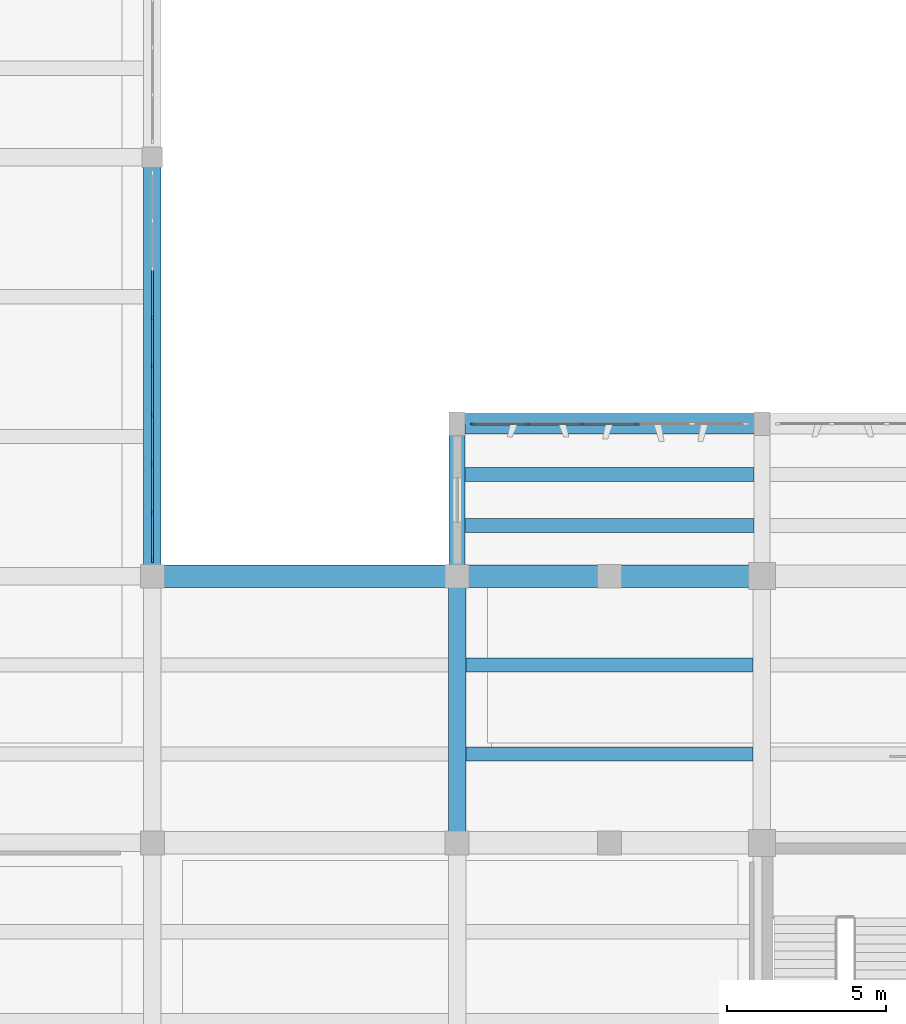
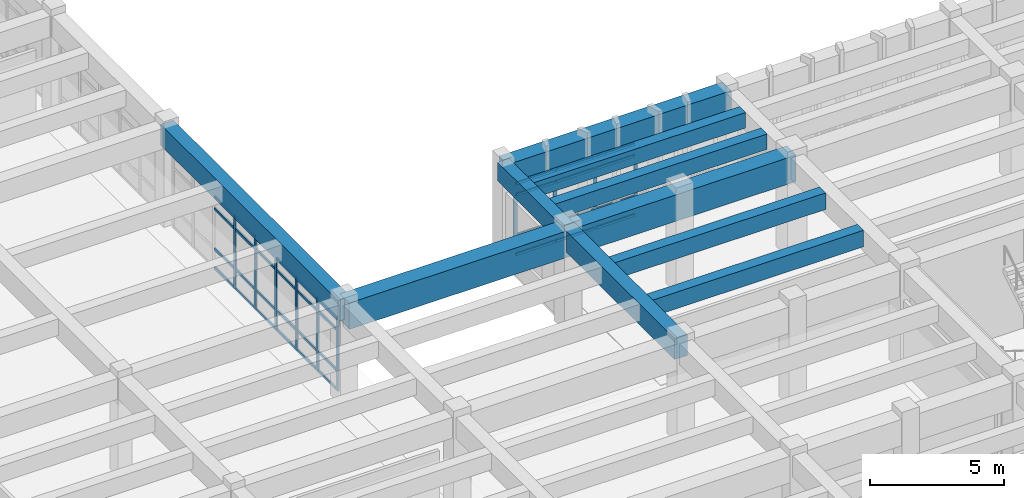
# One storey, part 9 of 86: 46 members, 10 beams, 2 elements without a shape of their own.
"""IFC4 building model written with IfcOpenShell, lengths in metres."""

from ifc_helpers import new_model, si_unit, direction, frame, origin, origin_2d, place, context, subcontext, project, spatial, rectangle, extrude, material, layer, layer_set, material_profile, profile_set, type_object, element, aggregate, save


model = new_model("IFC4")

# Units and contexts
model_context = context("Model", 3, precision=1e-05, world=origin(), true_north=direction((0.0, 1.0)))
body_context = subcontext(model_context, "Body", "Model", "MODEL_VIEW")
ifc_project = project(units=[si_unit("LENGTHUNIT", "METRE"), si_unit("AREAUNIT", "SQUARE_METRE"), si_unit("VOLUMEUNIT", "CUBIC_METRE"), si_unit("PLANEANGLEUNIT", "RADIAN"), si_unit("MASSUNIT", "GRAM", prefix="KILO")], contexts=[model_context])

# Site, building, storey
site_placement = place(None, origin())
site = spatial("IfcSite", under=ifc_project, at=site_placement, CompositionType="ELEMENT")
building_placement = place(site_placement, origin())
building = spatial("IfcBuilding", under=site, at=building_placement, Name="Kolvemor Railside Polytechnic", CompositionType="ELEMENT")
storey_placement = place(building_placement, frame((0.0, 0.0, 5.39990234375)))
storey = spatial("IfcBuildingStorey", under=building, at=storey_placement, Name="L01", CompositionType="ELEMENT", Elevation=5.39990234375)

# Beams
ifc_material_1 = material(Name="Concrete C40/50", Category="concrete")
ifc_material_profile_1 = material_profile(ifc_material_1, rectangle(XDim=0.550048828125, YDim=0.949951171875, at=origin_2d()), Name="RC550x950")
ifc_profile_set_1 = profile_set([ifc_material_profile_1], Name="Concrete C40/50")
beam_type_1 = type_object("IfcBeamType", Name="BM-RC-GIRD", PredefinedType="BEAM", material=ifc_profile_set_1)
beam_1_placement = place(storey_placement, frame((48.0, 38.39990234375, 4.005126953125), z_axis=(0.0, 1.0, 0.0), x_axis=(-1.0, 0.0, 0.0)))
element("IfcBeam", 1, at=beam_1_placement, inside=storey, type_object=beam_type_1, Name="Primary Girder L02-GY 0657", PredefinedType="BEAM", context=body_context, shape_type="SweptSolid", body=[
    extrude(rectangle(XDim=0.550048828125, YDim=0.949951171875, at=origin_2d()), origin(), (0.0, 0.0, 1.0), 13.2001953125),
])
beam_2_placement = place(storey_placement, frame((57.60009765625, 30.0, 4.005126953125), z_axis=(0.0, 1.0, 0.0), x_axis=(-1.0, 0.0, 0.0)))
element("IfcBeam", 2, at=beam_2_placement, inside=storey, type_object=beam_type_1, Name="Primary Girder L02-GY 0796", PredefinedType="BEAM", context=body_context, shape_type="SweptSolid", body=[
    extrude(rectangle(XDim=0.550048828125, YDim=0.949951171875, at=origin_2d()), origin(), (0.0, 0.0, 1.0), 8.39990234375),
])
ifc_material_2 = material(Name="Concrete C40/50", Category="concrete")
ifc_material_profile_2 = material_profile(ifc_material_2, rectangle(XDim=0.64990234375, YDim=1.050048828125, at=origin_2d()), Name="RC650x1050")
ifc_profile_set_2 = profile_set([ifc_material_profile_2], Name="Concrete C40/50")
beam_type_2 = type_object("IfcBeamType", Name="BM-RC-GIRD2", PredefinedType="BEAM", material=ifc_profile_set_2)
beam_3_placement = place(storey_placement, frame((57.60009765625, 43.199951171875, 3.955078125), z_axis=(1.0, 0.0, 0.0), x_axis=(0.0, 1.0, 0.0)))
element("IfcBeam", 3, at=beam_3_placement, inside=storey, type_object=beam_type_2, Name="Primary Girder L02-GX 1881", PredefinedType="BEAM", context=body_context, shape_type="SweptSolid", body=[
    extrude(rectangle(XDim=0.64990234375, YDim=1.050048828125, at=origin_2d()), origin(), (0.0, 0.0, 1.0), 9.599853515625),
])
ifc_material_3 = material(Name="Concrete C40/50", Category="concrete")
ifc_material_profile_3 = material_profile(ifc_material_3, rectangle(XDim=0.5, YDim=0.85009765625, at=origin_2d()), Name="RC500x850")
ifc_profile_set_3 = profile_set([ifc_material_profile_3], Name="Concrete C40/50")
beam_type_3 = type_object("IfcBeamType", Name="BM-RC-GIRD3", PredefinedType="BEAM", material=ifc_profile_set_3)
beam_4_placement = place(storey_placement, frame((57.60009765625, 38.39990234375, 4.05517578125), z_axis=(0.0, 1.0, 0.0), x_axis=(-1.0, 0.0, 0.0)))
element("IfcBeam", 4, at=beam_4_placement, inside=storey, type_object=beam_type_3, Name="Primary Girder L02-GY 1888", PredefinedType="BEAM", context=body_context, shape_type="SweptSolid", body=[
    extrude(rectangle(XDim=0.5, YDim=0.85009765625, at=origin_2d()), origin(), (0.0, 0.0, 1.0), 4.800048828125),
])
ifc_material_4 = material(Name="Concrete C40/50", Category="concrete")
ifc_material_profile_4 = material_profile(ifc_material_4, rectangle(XDim=0.449951171875, YDim=0.75, at=origin_2d()), Name="RC450x750")
ifc_profile_set_4 = profile_set([ifc_material_profile_4], Name="Concrete C40/50")
beam_type_4 = type_object("IfcBeamType", Name="BM-RC-SEC", PredefinedType="JOIST", material=ifc_profile_set_4)
for number, where, z_axis, x_axis, name in (
    (5, (57.875, 32.800048828125, 4.10498046875), (1.0, 0.0, 0.0), (0.0, 1.0, 0.0), "Floor Joist L02-J0843"),
    (6, (57.875, 35.60009765625, 4.10498046875), (1.0, 0.0, 0.0), (0.0, 1.0, 0.0), "Floor Joist L02-J0844"),
):
    element("IfcBeam", number, at=place(storey_placement, frame(where, z_axis=z_axis, x_axis=x_axis)), inside=storey, type_object=beam_type_4, Name=name, PredefinedType="JOIST", context=body_context, shape_type="SweptSolid", body=[
        extrude(rectangle(XDim=0.449951171875, YDim=0.75, at=origin_2d()), origin(), (0.0, 0.0, 1.0), 9.050048828125),
    ])
ifc_material_5 = material(Name="Concrete C40/50", Category="concrete")
ifc_material_profile_5 = material_profile(ifc_material_5, rectangle(XDim=0.449951171875, YDim=0.699951171875, at=origin_2d()), Name="RC450x700")
ifc_profile_set_5 = profile_set([ifc_material_profile_5], Name="Concrete C40/50")
beam_type_5 = type_object("IfcBeamType", Name="BM-RC-SEC2", PredefinedType="JOIST", material=ifc_profile_set_5)
for number, where, z_axis, x_axis, name in (
    (7, (57.85009765625, 40.0, 4.130126953125), (1.0, 0.0, 0.0), (0.0, 1.0, 0.0), "Floor Joist L02-J1896"),
    (8, (57.85009765625, 41.60009765625, 4.130126953125), (1.0, 0.0, 0.0), (0.0, 1.0, 0.0), "Floor Joist L02-J1897"),
):
    element("IfcBeam", number, at=place(storey_placement, frame(where, z_axis=z_axis, x_axis=x_axis)), inside=storey, type_object=beam_type_5, Name=name, PredefinedType="JOIST", context=body_context, shape_type="SweptSolid", body=[
        extrude(rectangle(XDim=0.449951171875, YDim=0.699951171875, at=origin_2d()), origin(), (0.0, 0.0, 1.0), 9.099853515625),
    ])
ifc_material_6 = material(Name="Concrete C40/50", Category="concrete")
ifc_material_profile_6 = material_profile(ifc_material_6, rectangle(XDim=0.699951171875, YDim=1.199951171875, at=origin_2d()), Name="RC700x1200")
ifc_profile_set_6 = profile_set([ifc_material_profile_6], Name="Concrete C40/50")
beam_type_6 = type_object("IfcBeamType", Name="BM-RC-XFER", PredefinedType="BEAM", material=ifc_profile_set_6)
beam_5_placement = place(storey_placement, frame((48.0, 38.39990234375, 3.880126953125), z_axis=(1.0, 0.0, 0.0), x_axis=(0.0, 1.0, 0.0)))
element("IfcBeam", 9, at=beam_5_placement, inside=storey, type_object=beam_type_6, Name="Primary Girder L02-GX 0784", PredefinedType="BEAM", context=body_context, shape_type="SweptSolid", body=[
    extrude(rectangle(XDim=0.699951171875, YDim=1.199951171875, at=origin_2d()), origin(), (0.0, 0.0, 1.0), 9.60009765625),
])
beam_6_placement = place(storey_placement, frame((57.60009765625, 38.39990234375, 3.880126953125), z_axis=(1.0, 0.0, 0.0), x_axis=(0.0, 1.0, 0.0)))
element("IfcBeam", 10, at=beam_6_placement, inside=storey, type_object=beam_type_6, Name="Primary Girder L02-GX 0785", PredefinedType="BEAM", context=body_context, shape_type="SweptSolid", body=[
    extrude(rectangle(XDim=0.699951171875, YDim=1.199951171875, at=origin_2d()), origin(), (0.0, 0.0, 1.0), 9.599853515625),
])

# Curtain wall, members
ifc_material_7 = material(Name="Anodised marine aluminium and laminated low-E glass", Category="aluminium")
ifc_layer = layer(ifc_material_7, 0.179931640625, Name="CW-UNIT-STD")
ifc_layer_set = layer_set([ifc_layer], Name="Anodised marine aluminium and laminated low-E glass")
curtain_wall_type = type_object("IfcCurtainWallType", Name="CW-UNIT-STD", PredefinedType="USERDEFINED", material=ifc_layer_set)
curtain_wall_1_placement = place(storey_placement, origin())
curtain_wall_1 = element("IfcCurtainWall", 11, at=curtain_wall_1_placement, inside=storey, type_object=curtain_wall_type, Name="Curtain Wall L01-056", ObjectType="UNITISED CURTAIN WALL", PredefinedType="USERDEFINED")
ifc_material_8 = material(Name="Anodised marine aluminium 6063-T6", Category="aluminium")
ifc_material_profile_7 = material_profile(ifc_material_8, rectangle(XDim=0.06494140625, YDim=0.14990234375, at=origin_2d()), Name="CW-MUL-65x150")
ifc_profile_set_7 = profile_set([ifc_material_profile_7], Name="Anodised marine aluminium 6063-T6")
member_type_1 = type_object("IfcMemberType", Name="CWM-65x150", PredefinedType="MULLION", material=ifc_profile_set_7)
member_1_placement = place(storey_placement, frame((48.0, 38.902587890625, 0.0), z_axis=(0.0, 0.0, 1.0), x_axis=(-1.0, 0.0, 0.0)))
member_1 = element("IfcMember", 12, at=member_1_placement, type_object=member_type_1, Name="CW-STD mullion 1", PredefinedType="MULLION", context=body_context, shape_type="SweptSolid", body=[
    extrude(rectangle(XDim=0.06494140625, YDim=0.14990234375, at=origin_2d()), origin(), (0.0, 0.0, 1.0), 3.280029296875),
])
member_2_placement = place(storey_placement, frame((48.0, 40.402587890625, 0.0), z_axis=(0.0, 0.0, 1.0), x_axis=(-1.0, 0.0, 0.0)))
member_2 = element("IfcMember", 13, at=member_2_placement, type_object=member_type_1, Name="CW-STD mullion 2", PredefinedType="MULLION", context=body_context, shape_type="SweptSolid", body=[
    extrude(rectangle(XDim=0.06494140625, YDim=0.14990234375, at=origin_2d()), origin(), (0.0, 0.0, 1.0), 3.280029296875),
])
member_3_placement = place(storey_placement, frame((48.0, 41.93505859375, 0.0), z_axis=(0.0, 0.0, 1.0), x_axis=(-1.0, 0.0, 0.0)))
member_3 = element("IfcMember", 14, at=member_3_placement, type_object=member_type_1, Name="CW-STD mullion 3", PredefinedType="MULLION", context=body_context, shape_type="SweptSolid", body=[
    extrude(rectangle(XDim=0.06494140625, YDim=0.14990234375, at=origin_2d()), origin(), (0.0, 0.0, 1.0), 3.280029296875),
])
member_4_placement = place(storey_placement, frame((48.0, 43.467529296875, 0.0), z_axis=(0.0, 0.0, 1.0), x_axis=(-1.0, 0.0, 0.0)))
member_4 = element("IfcMember", 15, at=member_4_placement, type_object=member_type_1, Name="CW-STD mullion 4", PredefinedType="MULLION", context=body_context, shape_type="SweptSolid", body=[
    extrude(rectangle(XDim=0.06494140625, YDim=0.14990234375, at=origin_2d()), origin(), (0.0, 0.0, 1.0), 3.280029296875),
])
member_5_placement = place(storey_placement, frame((48.0, 45.0, 0.0), z_axis=(0.0, 0.0, 1.0), x_axis=(-1.0, 0.0, 0.0)))
member_5 = element("IfcMember", 16, at=member_5_placement, type_object=member_type_1, Name="CW-STD mullion 5", PredefinedType="MULLION", context=body_context, shape_type="SweptSolid", body=[
    extrude(rectangle(XDim=0.06494140625, YDim=0.14990234375, at=origin_2d()), origin(), (0.0, 0.0, 1.0), 3.280029296875),
])
member_6_placement = place(storey_placement, frame((48.0, 46.532470703125, 0.0), z_axis=(0.0, 0.0, 1.0), x_axis=(-1.0, 0.0, 0.0)))
member_6 = element("IfcMember", 17, at=member_6_placement, type_object=member_type_1, Name="CW-STD mullion 6", PredefinedType="MULLION", context=body_context, shape_type="SweptSolid", body=[
    extrude(rectangle(XDim=0.06494140625, YDim=0.14990234375, at=origin_2d()), origin(), (0.0, 0.0, 1.0), 3.280029296875),
])

curtain_wall_2_placement = place(storey_placement, origin())
curtain_wall_2 = element("IfcCurtainWall", 18, at=curtain_wall_2_placement, inside=storey, type_object=curtain_wall_type, Name="Curtain Wall L01-113", ObjectType="UNITISED CURTAIN WALL", PredefinedType="USERDEFINED")
member_7_placement = place(storey_placement, frame((63.26611328125, 43.199951171875, 0.0), z_axis=(0.0, 0.0, 1.0), x_axis=(0.0, -1.0, 0.0)))
member_7 = element("IfcMember", 19, at=member_7_placement, type_object=member_type_1, Name="CW-STD mullion 3", PredefinedType="MULLION", context=body_context, shape_type="SweptSolid", body=[
    extrude(rectangle(XDim=0.06494140625, YDim=0.14990234375, at=origin_2d()), origin(), (0.0, 0.0, 1.0), 3.280029296875),
])
member_8_placement = place(storey_placement, frame((61.533935546875, 43.199951171875, 0.0), z_axis=(0.0, 0.0, 1.0), x_axis=(0.0, -1.0, 0.0)))
member_8 = element("IfcMember", 20, at=member_8_placement, type_object=member_type_1, Name="CW-STD mullion 4", PredefinedType="MULLION", context=body_context, shape_type="SweptSolid", body=[
    extrude(rectangle(XDim=0.06494140625, YDim=0.14990234375, at=origin_2d()), origin(), (0.0, 0.0, 1.0), 3.280029296875),
])
member_9_placement = place(storey_placement, frame((59.802001953125, 43.199951171875, 0.0), z_axis=(0.0, 0.0, 1.0), x_axis=(0.0, -1.0, 0.0)))
member_9 = element("IfcMember", 21, at=member_9_placement, type_object=member_type_1, Name="CW-STD mullion 5", PredefinedType="MULLION", context=body_context, shape_type="SweptSolid", body=[
    extrude(rectangle(XDim=0.06494140625, YDim=0.14990234375, at=origin_2d()), origin(), (0.0, 0.0, 1.0), 3.280029296875),
])
member_10_placement = place(storey_placement, frame((58.1025390625, 43.199951171875, 0.0), z_axis=(0.0, 0.0, 1.0), x_axis=(0.0, -1.0, 0.0)))
member_10 = element("IfcMember", 22, at=member_10_placement, type_object=member_type_1, Name="CW-STD mullion 6", PredefinedType="MULLION", context=body_context, shape_type="SweptSolid", body=[
    extrude(rectangle(XDim=0.06494140625, YDim=0.14990234375, at=origin_2d()), origin(), (0.0, 0.0, 1.0), 3.280029296875),
])

# Member
ifc_material_9 = material(Name="Anodised marine aluminium 6063-T6", Category="aluminium")
ifc_material_profile_8 = material_profile(ifc_material_9, rectangle(XDim=0.06494140625, YDim=0.1201171875, at=origin_2d()), Name="CW-TRN-65x120")
ifc_profile_set_8 = profile_set([ifc_material_profile_8], Name="Anodised marine aluminium 6063-T6")
member_type_2 = type_object("IfcMemberType", Name="CWT-65x120", PredefinedType="USERDEFINED", material=ifc_profile_set_8)
member_11_placement = place(storey_placement, frame((48.0, 38.93505859375, 0.03271484375), z_axis=(0.0, 1.0, 0.0), x_axis=(-1.0, 0.0, 0.0)))
member_11 = element("IfcMember", 23, at=member_11_placement, type_object=member_type_2, Name="CW-STD transom 1.1", ObjectType="TRANSOM", PredefinedType="USERDEFINED", context=body_context, shape_type="SweptSolid", body=[
    extrude(rectangle(XDim=0.06494140625, YDim=0.1201171875, at=origin_2d()), origin(), (0.0, 0.0, 1.0), 1.43505859375),
])

member_12_placement = place(storey_placement, frame((48.0, 38.93505859375, 0.900146484375), z_axis=(0.0, 1.0, 0.0), x_axis=(-1.0, 0.0, 0.0)))
member_12 = element("IfcMember", 24, at=member_12_placement, type_object=member_type_2, Name="CW-STD transom 1.2", ObjectType="TRANSOM", PredefinedType="USERDEFINED", context=body_context, shape_type="SweptSolid", body=[
    extrude(rectangle(XDim=0.06494140625, YDim=0.1201171875, at=origin_2d()), origin(), (0.0, 0.0, 1.0), 1.43505859375),
])

member_13_placement = place(storey_placement, frame((48.0, 38.93505859375, 2.72998046875), z_axis=(0.0, 1.0, 0.0), x_axis=(-1.0, 0.0, 0.0)))
member_13 = element("IfcMember", 25, at=member_13_placement, type_object=member_type_2, Name="CW-STD transom 1.3", ObjectType="TRANSOM", PredefinedType="USERDEFINED", context=body_context, shape_type="SweptSolid", body=[
    extrude(rectangle(XDim=0.06494140625, YDim=0.1201171875, at=origin_2d()), origin(), (0.0, 0.0, 1.0), 1.43505859375),
])

member_14_placement = place(storey_placement, frame((48.0, 38.93505859375, 3.24755859375), z_axis=(0.0, 1.0, 0.0), x_axis=(-1.0, 0.0, 0.0)))
member_14 = element("IfcMember", 26, at=member_14_placement, type_object=member_type_2, Name="CW-STD transom 1.4", ObjectType="TRANSOM", PredefinedType="USERDEFINED", context=body_context, shape_type="SweptSolid", body=[
    extrude(rectangle(XDim=0.06494140625, YDim=0.1201171875, at=origin_2d()), origin(), (0.0, 0.0, 1.0), 1.43505859375),
])

member_15_placement = place(storey_placement, frame((48.0, 40.43505859375, 0.03271484375), z_axis=(0.0, 1.0, 0.0), x_axis=(-1.0, 0.0, 0.0)))
member_15 = element("IfcMember", 27, at=member_15_placement, type_object=member_type_2, Name="CW-STD transom 2.1", ObjectType="TRANSOM", PredefinedType="USERDEFINED", context=body_context, shape_type="SweptSolid", body=[
    extrude(rectangle(XDim=0.06494140625, YDim=0.1201171875, at=origin_2d()), origin(), (0.0, 0.0, 1.0), 1.467529296875),
])

member_16_placement = place(storey_placement, frame((48.0, 40.43505859375, 0.900146484375), z_axis=(0.0, 1.0, 0.0), x_axis=(-1.0, 0.0, 0.0)))
member_16 = element("IfcMember", 28, at=member_16_placement, type_object=member_type_2, Name="CW-STD transom 2.2", ObjectType="TRANSOM", PredefinedType="USERDEFINED", context=body_context, shape_type="SweptSolid", body=[
    extrude(rectangle(XDim=0.06494140625, YDim=0.1201171875, at=origin_2d()), origin(), (0.0, 0.0, 1.0), 1.467529296875),
])

member_17_placement = place(storey_placement, frame((48.0, 40.43505859375, 2.72998046875), z_axis=(0.0, 1.0, 0.0), x_axis=(-1.0, 0.0, 0.0)))
member_17 = element("IfcMember", 29, at=member_17_placement, type_object=member_type_2, Name="CW-STD transom 2.3", ObjectType="TRANSOM", PredefinedType="USERDEFINED", context=body_context, shape_type="SweptSolid", body=[
    extrude(rectangle(XDim=0.06494140625, YDim=0.1201171875, at=origin_2d()), origin(), (0.0, 0.0, 1.0), 1.467529296875),
])

member_18_placement = place(storey_placement, frame((48.0, 40.43505859375, 3.24755859375), z_axis=(0.0, 1.0, 0.0), x_axis=(-1.0, 0.0, 0.0)))
member_18 = element("IfcMember", 30, at=member_18_placement, type_object=member_type_2, Name="CW-STD transom 2.4", ObjectType="TRANSOM", PredefinedType="USERDEFINED", context=body_context, shape_type="SweptSolid", body=[
    extrude(rectangle(XDim=0.06494140625, YDim=0.1201171875, at=origin_2d()), origin(), (0.0, 0.0, 1.0), 1.467529296875),
])

member_19_placement = place(storey_placement, frame((48.0, 41.967529296875, 0.03271484375), z_axis=(0.0, 1.0, 0.0), x_axis=(-1.0, 0.0, 0.0)))
member_19 = element("IfcMember", 31, at=member_19_placement, type_object=member_type_2, Name="CW-STD transom 3.1", ObjectType="TRANSOM", PredefinedType="USERDEFINED", context=body_context, shape_type="SweptSolid", body=[
    extrude(rectangle(XDim=0.06494140625, YDim=0.1201171875, at=origin_2d()), origin(), (0.0, 0.0, 1.0), 1.467529296875),
])

member_20_placement = place(storey_placement, frame((48.0, 41.967529296875, 0.900146484375), z_axis=(0.0, 1.0, 0.0), x_axis=(-1.0, 0.0, 0.0)))
member_20 = element("IfcMember", 32, at=member_20_placement, type_object=member_type_2, Name="CW-STD transom 3.2", ObjectType="TRANSOM", PredefinedType="USERDEFINED", context=body_context, shape_type="SweptSolid", body=[
    extrude(rectangle(XDim=0.06494140625, YDim=0.1201171875, at=origin_2d()), origin(), (0.0, 0.0, 1.0), 1.467529296875),
])

member_21_placement = place(storey_placement, frame((48.0, 41.967529296875, 2.72998046875), z_axis=(0.0, 1.0, 0.0), x_axis=(-1.0, 0.0, 0.0)))
member_21 = element("IfcMember", 33, at=member_21_placement, type_object=member_type_2, Name="CW-STD transom 3.3", ObjectType="TRANSOM", PredefinedType="USERDEFINED", context=body_context, shape_type="SweptSolid", body=[
    extrude(rectangle(XDim=0.06494140625, YDim=0.1201171875, at=origin_2d()), origin(), (0.0, 0.0, 1.0), 1.467529296875),
])

member_22_placement = place(storey_placement, frame((48.0, 41.967529296875, 3.24755859375), z_axis=(0.0, 1.0, 0.0), x_axis=(-1.0, 0.0, 0.0)))
member_22 = element("IfcMember", 34, at=member_22_placement, type_object=member_type_2, Name="CW-STD transom 3.4", ObjectType="TRANSOM", PredefinedType="USERDEFINED", context=body_context, shape_type="SweptSolid", body=[
    extrude(rectangle(XDim=0.06494140625, YDim=0.1201171875, at=origin_2d()), origin(), (0.0, 0.0, 1.0), 1.467529296875),
])

member_23_placement = place(storey_placement, frame((48.0, 43.5, 0.03271484375), z_axis=(0.0, 1.0, 0.0), x_axis=(-1.0, 0.0, 0.0)))
member_23 = element("IfcMember", 35, at=member_23_placement, type_object=member_type_2, Name="CW-STD transom 4.1", ObjectType="TRANSOM", PredefinedType="USERDEFINED", context=body_context, shape_type="SweptSolid", body=[
    extrude(rectangle(XDim=0.06494140625, YDim=0.1201171875, at=origin_2d()), origin(), (0.0, 0.0, 1.0), 1.467529296875),
])

member_24_placement = place(storey_placement, frame((48.0, 43.5, 0.900146484375), z_axis=(0.0, 1.0, 0.0), x_axis=(-1.0, 0.0, 0.0)))
member_24 = element("IfcMember", 36, at=member_24_placement, type_object=member_type_2, Name="CW-STD transom 4.2", ObjectType="TRANSOM", PredefinedType="USERDEFINED", context=body_context, shape_type="SweptSolid", body=[
    extrude(rectangle(XDim=0.06494140625, YDim=0.1201171875, at=origin_2d()), origin(), (0.0, 0.0, 1.0), 1.467529296875),
])

member_25_placement = place(storey_placement, frame((48.0, 43.5, 2.72998046875), z_axis=(0.0, 1.0, 0.0), x_axis=(-1.0, 0.0, 0.0)))
member_25 = element("IfcMember", 37, at=member_25_placement, type_object=member_type_2, Name="CW-STD transom 4.3", ObjectType="TRANSOM", PredefinedType="USERDEFINED", context=body_context, shape_type="SweptSolid", body=[
    extrude(rectangle(XDim=0.06494140625, YDim=0.1201171875, at=origin_2d()), origin(), (0.0, 0.0, 1.0), 1.467529296875),
])

member_26_placement = place(storey_placement, frame((48.0, 43.5, 3.24755859375), z_axis=(0.0, 1.0, 0.0), x_axis=(-1.0, 0.0, 0.0)))
member_26 = element("IfcMember", 38, at=member_26_placement, type_object=member_type_2, Name="CW-STD transom 4.4", ObjectType="TRANSOM", PredefinedType="USERDEFINED", context=body_context, shape_type="SweptSolid", body=[
    extrude(rectangle(XDim=0.06494140625, YDim=0.1201171875, at=origin_2d()), origin(), (0.0, 0.0, 1.0), 1.467529296875),
])

member_27_placement = place(storey_placement, frame((48.0, 45.032470703125, 0.03271484375), z_axis=(0.0, 1.0, 0.0), x_axis=(-1.0, 0.0, 0.0)))
member_27 = element("IfcMember", 39, at=member_27_placement, type_object=member_type_2, Name="CW-STD transom 5.1", ObjectType="TRANSOM", PredefinedType="USERDEFINED", context=body_context, shape_type="SweptSolid", body=[
    extrude(rectangle(XDim=0.06494140625, YDim=0.1201171875, at=origin_2d()), origin(), (0.0, 0.0, 1.0), 1.467529296875),
])

member_28_placement = place(storey_placement, frame((48.0, 45.032470703125, 0.900146484375), z_axis=(0.0, 1.0, 0.0), x_axis=(-1.0, 0.0, 0.0)))
member_28 = element("IfcMember", 40, at=member_28_placement, type_object=member_type_2, Name="CW-STD transom 5.2", ObjectType="TRANSOM", PredefinedType="USERDEFINED", context=body_context, shape_type="SweptSolid", body=[
    extrude(rectangle(XDim=0.06494140625, YDim=0.1201171875, at=origin_2d()), origin(), (0.0, 0.0, 1.0), 1.467529296875),
])

member_29_placement = place(storey_placement, frame((48.0, 45.032470703125, 2.72998046875), z_axis=(0.0, 1.0, 0.0), x_axis=(-1.0, 0.0, 0.0)))
member_29 = element("IfcMember", 41, at=member_29_placement, type_object=member_type_2, Name="CW-STD transom 5.3", ObjectType="TRANSOM", PredefinedType="USERDEFINED", context=body_context, shape_type="SweptSolid", body=[
    extrude(rectangle(XDim=0.06494140625, YDim=0.1201171875, at=origin_2d()), origin(), (0.0, 0.0, 1.0), 1.467529296875),
])

member_30_placement = place(storey_placement, frame((48.0, 45.032470703125, 3.24755859375), z_axis=(0.0, 1.0, 0.0), x_axis=(-1.0, 0.0, 0.0)))
member_30 = element("IfcMember", 42, at=member_30_placement, type_object=member_type_2, Name="CW-STD transom 5.4", ObjectType="TRANSOM", PredefinedType="USERDEFINED", context=body_context, shape_type="SweptSolid", body=[
    extrude(rectangle(XDim=0.06494140625, YDim=0.1201171875, at=origin_2d()), origin(), (0.0, 0.0, 1.0), 1.467529296875),
])

member_31_placement = place(storey_placement, frame((48.0, 46.56494140625, 0.03271484375), z_axis=(0.0, 1.0, 0.0), x_axis=(-1.0, 0.0, 0.0)))
member_31 = element("IfcMember", 43, at=member_31_placement, type_object=member_type_2, Name="CW-STD transom 6.1", ObjectType="TRANSOM", PredefinedType="USERDEFINED", context=body_context, shape_type="SweptSolid", body=[
    extrude(rectangle(XDim=0.06494140625, YDim=0.1201171875, at=origin_2d()), origin(), (0.0, 0.0, 1.0), 1.467529296875),
])

member_32_placement = place(storey_placement, frame((48.0, 46.56494140625, 0.900146484375), z_axis=(0.0, 1.0, 0.0), x_axis=(-1.0, 0.0, 0.0)))
member_32 = element("IfcMember", 44, at=member_32_placement, type_object=member_type_2, Name="CW-STD transom 6.2", ObjectType="TRANSOM", PredefinedType="USERDEFINED", context=body_context, shape_type="SweptSolid", body=[
    extrude(rectangle(XDim=0.06494140625, YDim=0.1201171875, at=origin_2d()), origin(), (0.0, 0.0, 1.0), 1.467529296875),
])

member_33_placement = place(storey_placement, frame((48.0, 46.56494140625, 2.72998046875), z_axis=(0.0, 1.0, 0.0), x_axis=(-1.0, 0.0, 0.0)))
member_33 = element("IfcMember", 45, at=member_33_placement, type_object=member_type_2, Name="CW-STD transom 6.3", ObjectType="TRANSOM", PredefinedType="USERDEFINED", context=body_context, shape_type="SweptSolid", body=[
    extrude(rectangle(XDim=0.06494140625, YDim=0.1201171875, at=origin_2d()), origin(), (0.0, 0.0, 1.0), 1.467529296875),
])

member_34_placement = place(storey_placement, frame((48.0, 46.56494140625, 3.24755859375), z_axis=(0.0, 1.0, 0.0), x_axis=(-1.0, 0.0, 0.0)))
member_34 = element("IfcMember", 46, at=member_34_placement, type_object=member_type_2, Name="CW-STD transom 6.4", ObjectType="TRANSOM", PredefinedType="USERDEFINED", context=body_context, shape_type="SweptSolid", body=[
    extrude(rectangle(XDim=0.06494140625, YDim=0.1201171875, at=origin_2d()), origin(), (0.0, 0.0, 1.0), 1.467529296875),
])

aggregate(curtain_wall_1, [member_1, member_2, member_3, member_4, member_5, member_6, member_11, member_12, member_13, member_14, member_15, member_16, member_17, member_18, member_19, member_20, member_21, member_22, member_23, member_24, member_25, member_26, member_27, member_28, member_29, member_30, member_31, member_32, member_33, member_34])

member_35_placement = place(storey_placement, frame((63.2333984375, 43.199951171875, 0.03271484375), z_axis=(-1.0, 0.0, 0.0), x_axis=(0.0, -1.0, 0.0)))
member_35 = element("IfcMember", 47, at=member_35_placement, type_object=member_type_2, Name="CW-STD transom 3.1", ObjectType="TRANSOM", PredefinedType="USERDEFINED", context=body_context, shape_type="SweptSolid", body=[
    extrude(rectangle(XDim=0.06494140625, YDim=0.1201171875, at=origin_2d()), origin(), (0.0, 0.0, 1.0), 1.6669921875),
])

member_36_placement = place(storey_placement, frame((63.2333984375, 43.199951171875, 0.900146484375), z_axis=(-1.0, 0.0, 0.0), x_axis=(0.0, -1.0, 0.0)))
member_36 = element("IfcMember", 48, at=member_36_placement, type_object=member_type_2, Name="CW-STD transom 3.2", ObjectType="TRANSOM", PredefinedType="USERDEFINED", context=body_context, shape_type="SweptSolid", body=[
    extrude(rectangle(XDim=0.06494140625, YDim=0.1201171875, at=origin_2d()), origin(), (0.0, 0.0, 1.0), 1.6669921875),
])

member_37_placement = place(storey_placement, frame((63.2333984375, 43.199951171875, 2.72998046875), z_axis=(-1.0, 0.0, 0.0), x_axis=(0.0, -1.0, 0.0)))
member_37 = element("IfcMember", 49, at=member_37_placement, type_object=member_type_2, Name="CW-STD transom 3.3", ObjectType="TRANSOM", PredefinedType="USERDEFINED", context=body_context, shape_type="SweptSolid", body=[
    extrude(rectangle(XDim=0.06494140625, YDim=0.1201171875, at=origin_2d()), origin(), (0.0, 0.0, 1.0), 1.6669921875),
])

member_38_placement = place(storey_placement, frame((63.2333984375, 43.199951171875, 3.24755859375), z_axis=(-1.0, 0.0, 0.0), x_axis=(0.0, -1.0, 0.0)))
member_38 = element("IfcMember", 50, at=member_38_placement, type_object=member_type_2, Name="CW-STD transom 3.4", ObjectType="TRANSOM", PredefinedType="USERDEFINED", context=body_context, shape_type="SweptSolid", body=[
    extrude(rectangle(XDim=0.06494140625, YDim=0.1201171875, at=origin_2d()), origin(), (0.0, 0.0, 1.0), 1.6669921875),
])

member_39_placement = place(storey_placement, frame((61.50146484375, 43.199951171875, 0.03271484375), z_axis=(-1.0, 0.0, 0.0), x_axis=(0.0, -1.0, 0.0)))
member_39 = element("IfcMember", 51, at=member_39_placement, type_object=member_type_2, Name="CW-STD transom 4.1", ObjectType="TRANSOM", PredefinedType="USERDEFINED", context=body_context, shape_type="SweptSolid", body=[
    extrude(rectangle(XDim=0.06494140625, YDim=0.1201171875, at=origin_2d()), origin(), (0.0, 0.0, 1.0), 1.6669921875),
])

member_40_placement = place(storey_placement, frame((61.50146484375, 43.199951171875, 0.900146484375), z_axis=(-1.0, 0.0, 0.0), x_axis=(0.0, -1.0, 0.0)))
member_40 = element("IfcMember", 52, at=member_40_placement, type_object=member_type_2, Name="CW-STD transom 4.2", ObjectType="TRANSOM", PredefinedType="USERDEFINED", context=body_context, shape_type="SweptSolid", body=[
    extrude(rectangle(XDim=0.06494140625, YDim=0.1201171875, at=origin_2d()), origin(), (0.0, 0.0, 1.0), 1.6669921875),
])

member_41_placement = place(storey_placement, frame((61.50146484375, 43.199951171875, 2.72998046875), z_axis=(-1.0, 0.0, 0.0), x_axis=(0.0, -1.0, 0.0)))
member_41 = element("IfcMember", 53, at=member_41_placement, type_object=member_type_2, Name="CW-STD transom 4.3", ObjectType="TRANSOM", PredefinedType="USERDEFINED", context=body_context, shape_type="SweptSolid", body=[
    extrude(rectangle(XDim=0.06494140625, YDim=0.1201171875, at=origin_2d()), origin(), (0.0, 0.0, 1.0), 1.6669921875),
])

member_42_placement = place(storey_placement, frame((61.50146484375, 43.199951171875, 3.24755859375), z_axis=(-1.0, 0.0, 0.0), x_axis=(0.0, -1.0, 0.0)))
member_42 = element("IfcMember", 54, at=member_42_placement, type_object=member_type_2, Name="CW-STD transom 4.4", ObjectType="TRANSOM", PredefinedType="USERDEFINED", context=body_context, shape_type="SweptSolid", body=[
    extrude(rectangle(XDim=0.06494140625, YDim=0.1201171875, at=origin_2d()), origin(), (0.0, 0.0, 1.0), 1.6669921875),
])

member_43_placement = place(storey_placement, frame((59.76953125, 43.199951171875, 0.03271484375), z_axis=(-1.0, 0.0, 0.0), x_axis=(0.0, -1.0, 0.0)))
member_43 = element("IfcMember", 55, at=member_43_placement, type_object=member_type_2, Name="CW-STD transom 5.1", ObjectType="TRANSOM", PredefinedType="USERDEFINED", context=body_context, shape_type="SweptSolid", body=[
    extrude(rectangle(XDim=0.06494140625, YDim=0.1201171875, at=origin_2d()), origin(), (0.0, 0.0, 1.0), 1.634521484375),
])

member_44_placement = place(storey_placement, frame((59.76953125, 43.199951171875, 0.900146484375), z_axis=(-1.0, 0.0, 0.0), x_axis=(0.0, -1.0, 0.0)))
member_44 = element("IfcMember", 56, at=member_44_placement, type_object=member_type_2, Name="CW-STD transom 5.2", ObjectType="TRANSOM", PredefinedType="USERDEFINED", context=body_context, shape_type="SweptSolid", body=[
    extrude(rectangle(XDim=0.06494140625, YDim=0.1201171875, at=origin_2d()), origin(), (0.0, 0.0, 1.0), 1.634521484375),
])

member_45_placement = place(storey_placement, frame((59.76953125, 43.199951171875, 2.72998046875), z_axis=(-1.0, 0.0, 0.0), x_axis=(0.0, -1.0, 0.0)))
member_45 = element("IfcMember", 57, at=member_45_placement, type_object=member_type_2, Name="CW-STD transom 5.3", ObjectType="TRANSOM", PredefinedType="USERDEFINED", context=body_context, shape_type="SweptSolid", body=[
    extrude(rectangle(XDim=0.06494140625, YDim=0.1201171875, at=origin_2d()), origin(), (0.0, 0.0, 1.0), 1.634521484375),
])

member_46_placement = place(storey_placement, frame((59.76953125, 43.199951171875, 3.24755859375), z_axis=(-1.0, 0.0, 0.0), x_axis=(0.0, -1.0, 0.0)))
member_46 = element("IfcMember", 58, at=member_46_placement, type_object=member_type_2, Name="CW-STD transom 5.4", ObjectType="TRANSOM", PredefinedType="USERDEFINED", context=body_context, shape_type="SweptSolid", body=[
    extrude(rectangle(XDim=0.06494140625, YDim=0.1201171875, at=origin_2d()), origin(), (0.0, 0.0, 1.0), 1.634521484375),
])

aggregate(curtain_wall_2, [member_7, member_8, member_9, member_10, member_35, member_36, member_37, member_38, member_39, member_40, member_41, member_42, member_43, member_44, member_45, member_46])

save(model, "model.ifc")
